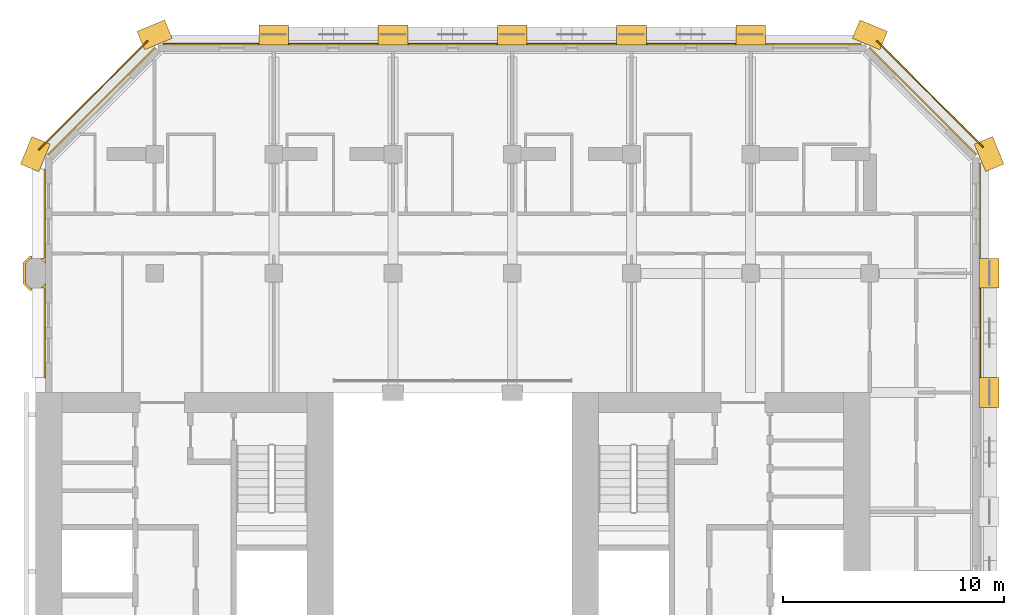
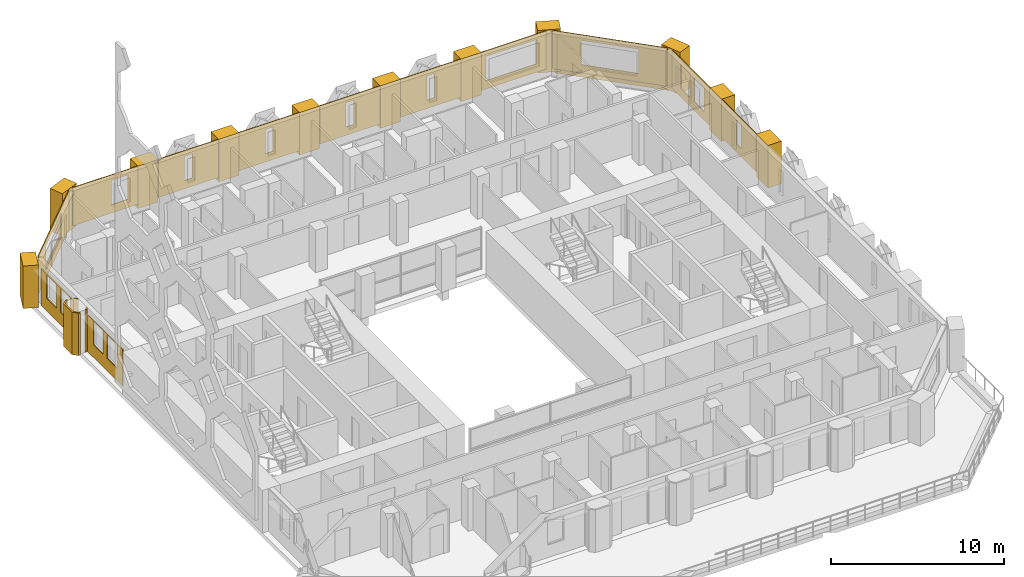
# One storey, part 17 of 17: 28 coverings.
"""IFC4 building model written with IfcOpenShell, lengths in metres."""

from ifc_helpers import new_model, si_unit, direction, frame, frame_2d, origin, place, context, subcontext, project, spatial, polyline, rectangle, outline, extrude, material, layer, layer_set, type_object, element, save


model = new_model("IFC4")

# Units and contexts
model_context = context("Model", 3, precision=1e-05, world=origin(), true_north=direction((0.0, 1.0)))
body_context = subcontext(model_context, "Body", "Model", "MODEL_VIEW")
ifc_project = project(units=[si_unit("LENGTHUNIT", "METRE"), si_unit("AREAUNIT", "SQUARE_METRE"), si_unit("VOLUMEUNIT", "CUBIC_METRE"), si_unit("PLANEANGLEUNIT", "RADIAN"), si_unit("MASSUNIT", "GRAM", prefix="KILO")], contexts=[model_context])

# Site, building, storey
site_placement = place(None, origin())
site = spatial("IfcSite", under=ifc_project, at=site_placement, CompositionType="ELEMENT")
building_placement = place(site_placement, origin())
building = spatial("IfcBuilding", under=site, at=building_placement, Name="Tabaq Tower and Sports Hall", CompositionType="ELEMENT")
storey_placement = place(building_placement, frame((0.0, 0.0, 180.699951171875)))
storey = spatial("IfcBuildingStorey", under=building, at=storey_placement, Name="L43", CompositionType="ELEMENT", Elevation=180.699951171875)

# Coverings
ifc_material_1 = material(Name="Precast concrete C60/75", Category="concrete")
ifc_layer_1 = layer(ifc_material_1, 0.10009765625)
ifc_layer_set_1 = layer_set([ifc_layer_1], Name="Column cladding 100")
covering_type_1 = type_object("IfcCoveringType", Name="Column cladding 100", PredefinedType="CLADDING", material=ifc_layer_set_1)
covering_1_placement = place(storey_placement, origin())
element("IfcCovering", 1, at=covering_1_placement, inside=storey, type_object=covering_type_1, Name="Column cladding L43 PC-2H-H2", PredefinedType="CLADDING", context=body_context, shape_type="SweptSolid", body=[
    extrude(outline(polyline([(5.1337890625, 37.025634765625), (4.8505859375, 37.308837890625), (4.8505859375, 38.291259765625), (5.1337890625, 38.574462890625), (5.24951171875, 38.574462890625), (5.24951171875, 38.4755859375), (5.1748046875, 38.4755859375), (4.949462890625, 38.250244140625), (4.949462890625, 37.349853515625), (5.1748046875, 37.12451171875), (5.24951171875, 37.12451171875), (5.24951171875, 37.025634765625), (5.1337890625, 37.025634765625)])), origin(), (0.0, 0.0, 1.0), 3.0),
])
covering_2_placement = place(storey_placement, origin())
element("IfcCovering", 2, at=covering_2_placement, inside=storey, type_object=covering_type_1, Name="Column cladding L43 PC-2H-H2 2", PredefinedType="CLADDING", context=body_context, shape_type="SweptSolid", body=[
    extrude(outline(polyline([(5.766357421875, 37.125244140625), (5.625732421875, 37.125244140625), (5.849609375, 37.349365234375), (5.849609375, 37.208740234375), (5.766357421875, 37.125244140625)])), origin(), (0.0, 0.0, 1.0), 3.0),
])
covering_3_placement = place(storey_placement, origin())
element("IfcCovering", 3, at=covering_3_placement, inside=storey, type_object=covering_type_1, Name="Column cladding L43 PC-2H-H2 3", PredefinedType="CLADDING", context=body_context, shape_type="SweptSolid", body=[
    extrude(outline(polyline([(5.62646484375, 38.474365234375), (5.76611328125, 38.474365234375), (5.849365234375, 38.39111328125), (5.849365234375, 38.25146484375), (5.62646484375, 38.474365234375)])), origin(), (0.0, 0.0, 1.0), 3.0),
])
ifc_material_2 = material(Name="Precast concrete C60/75", Category="concrete")
ifc_layer_2 = layer(ifc_material_2, 0.06005859375)
ifc_layer_set_2 = layer_set([ifc_layer_2], Name="Edge beam cladding 60")
covering_type_2 = type_object("IfcCoveringType", Name="Edge beam cladding 60", PredefinedType="CLADDING", material=ifc_layer_set_2)
covering_4_placement = place(storey_placement, frame((48.3369140625, 43.505615234375, -0.300048828125), z_axis=(0.0, 0.0, 1.0), x_axis=(-0.707106781187, 0.707106781187, 0.0)))
element("IfcCovering", 4, at=covering_4_placement, inside=storey, type_object=covering_type_2, Name="Edge beam cladding L43 2", PredefinedType="CLADDING", context=body_context, shape_type="SweptSolid", body=[
    extrude(rectangle(XDim=6.83251953125, YDim=0.06005859375, at=frame_2d((3.416259765625, 0.0))), origin(), (0.0, 0.0, 1.0), 0.300048828125),
])
covering_5_placement = place(storey_placement, frame((10.494384765625, 48.3369140625, -0.300048828125), z_axis=(0.0, 0.0, 1.0), x_axis=(-0.707089303851, -0.70712425809, 0.0)))
element("IfcCovering", 5, at=covering_5_placement, inside=storey, type_object=covering_type_2, Name="Edge beam cladding L43 4", PredefinedType="CLADDING", context=body_context, shape_type="SweptSolid", body=[
    extrude(rectangle(XDim=6.984619140625, YDim=0.06005859375, at=frame_2d((3.4921875, 0.0))), origin(), (0.0, 0.0, 1.0), 0.300048828125),
])
ifc_material_3 = material(Name="White precast concrete C60/75", Category="concrete")
covering_type_3 = type_object("IfcCoveringType", Name="Pier cladding hung 1350x900", PredefinedType="CLADDING", material=ifc_material_3)
for number, where, z_axis, x_axis, name in (
    (6, (5.658203125, 43.82373046875, 0.0), (0.0, 0.0, 1.0), (-0.382649923473, -0.923893411637, 0.0), "Hung pier cladding 1/8"),
    (7, (11.423583984375, 48.8583984375, 0.0), (0.0, 0.0, 1.0), (-0.923893411637, -0.382649923473, 0.0), "Hung pier cladding 2/9"),
    (8, (16.875, 48.60009765625, 0.0), (0.0, 0.0, 1.0), (-1.0, 0.0, 0.0), "Hung pier cladding 3/9"),
):
    element("IfcCovering", number, at=place(storey_placement, frame(where, z_axis=z_axis, x_axis=x_axis)), inside=storey, type_object=covering_type_3, Name=name, PredefinedType="CLADDING", context=body_context, shape_type="SweptSolid", body=[
        extrude(rectangle(XDim=1.35009765625, YDim=0.89990234375, at=frame_2d((0.675048828125, 0.0))), origin(), (0.0, 0.0, 1.0), 3.0),
    ])
covering_6_placement = place(storey_placement, frame((22.27490234375, 48.60009765625, 0.0), z_axis=(0.0, 0.0, 1.0), x_axis=(-1.0, 0.0, 0.0)))
element("IfcCovering", 9, at=covering_6_placement, inside=storey, type_object=covering_type_3, Name="Hung pier cladding 4/9", PredefinedType="CLADDING", context=body_context, shape_type="SweptSolid", body=[
    extrude(rectangle(XDim=1.349853515625, YDim=0.89990234375, at=frame_2d((0.6748046875, 0.0))), origin(), (0.0, 0.0, 1.0), 3.0),
])
covering_7_placement = place(storey_placement, frame((27.675048828125, 48.60009765625, 0.0), z_axis=(0.0, 0.0, 1.0), x_axis=(-1.0, 0.0, 0.0)))
element("IfcCovering", 10, at=covering_7_placement, inside=storey, type_object=covering_type_3, Name="Hung pier cladding 5/9", PredefinedType="CLADDING", context=body_context, shape_type="SweptSolid", body=[
    extrude(rectangle(XDim=1.35009765625, YDim=0.89990234375, at=frame_2d((0.675048828125, 0.0))), origin(), (0.0, 0.0, 1.0), 3.0),
])
covering_8_placement = place(storey_placement, frame((33.074951171875, 48.60009765625, 0.0), z_axis=(0.0, 0.0, 1.0), x_axis=(-1.0, 0.0, 0.0)))
element("IfcCovering", 11, at=covering_8_placement, inside=storey, type_object=covering_type_3, Name="Hung pier cladding 6/9", PredefinedType="CLADDING", context=body_context, shape_type="SweptSolid", body=[
    extrude(rectangle(XDim=1.349853515625, YDim=0.89990234375, at=frame_2d((0.6748046875, 0.0))), origin(), (0.0, 0.0, 1.0), 3.0),
])
for number, where, z_axis, x_axis, name in (
    (12, (38.47509765625, 48.60009765625, 0.0), (0.0, 0.0, 1.0), (-1.0, 0.0, 0.0), "Hung pier cladding 7/9"),
    (13, (43.82373046875, 48.341796875, 0.0), (0.0, 0.0, 1.0), (-0.923893411637, 0.382649923473, 0.0), "Hung pier cladding 8/9"),
):
    element("IfcCovering", number, at=place(storey_placement, frame(where, z_axis=z_axis, x_axis=x_axis)), inside=storey, type_object=covering_type_3, Name=name, PredefinedType="CLADDING", context=body_context, shape_type="SweptSolid", body=[
        extrude(rectangle(XDim=1.35009765625, YDim=0.89990234375, at=frame_2d((0.675048828125, 0.0))), origin(), (0.0, 0.0, 1.0), 3.0),
    ])
covering_9_placement = place(storey_placement, frame((48.60009765625, 31.72509765625, 0.0), z_axis=(0.0, 0.0, 1.0), x_axis=(0.0, 1.0, 0.0)))
element("IfcCovering", 14, at=covering_9_placement, inside=storey, type_object=covering_type_3, Name="Hung pier cladding 9/6", PredefinedType="CLADDING", context=body_context, shape_type="SweptSolid", body=[
    extrude(rectangle(XDim=1.349853515625, YDim=0.89990234375, at=frame_2d((0.6748046875, 0.0))), origin(), (0.0, 0.0, 1.0), 3.0),
])
for number, where, z_axis, x_axis, name in (
    (15, (48.60009765625, 37.125, 0.0), (0.0, 0.0, 1.0), (0.0, 1.0, 0.0), "Hung pier cladding 9/7"),
    (16, (48.8583984375, 42.576416015625, 0.0), (0.0, 0.0, 1.0), (-0.382649923473, 0.923893411637, 0.0), "Hung pier cladding 9/8"),
):
    element("IfcCovering", number, at=place(storey_placement, frame(where, z_axis=z_axis, x_axis=x_axis)), inside=storey, type_object=covering_type_3, Name=name, PredefinedType="CLADDING", context=body_context, shape_type="SweptSolid", body=[
        extrude(rectangle(XDim=1.35009765625, YDim=0.89990234375, at=frame_2d((0.675048828125, 0.0))), origin(), (0.0, 0.0, 1.0), 3.0),
    ])
ifc_material_4 = material(Name="Precast concrete C60/75", Category="concrete")
ifc_layer_3 = layer(ifc_material_4, 0.06005859375)
ifc_layer_set_3 = layer_set([ifc_layer_3], Name="White precast cladding panel 60 C60/75")
covering_type_4 = type_object("IfcCoveringType", Name="White precast cladding panel 60 C60/75", PredefinedType="CLADDING", material=ifc_layer_set_3)
covering_10_placement = place(storey_placement, frame((48.179931640625, 33.0849609375, 0.31005859375), z_axis=(0.0, 0.0, 1.0), x_axis=(0.0, 1.0, 0.0)))
element("IfcCovering", 17, at=covering_10_placement, inside=storey, type_object=covering_type_4, Name="White precast cladding panel L43 wall02 5", PredefinedType="CLADDING", context=body_context, shape_type="SweptSolid", body=[
    extrude(outline(polyline([(0.0, 0.0), (4.030029296875, 0.0), (4.030029296875, 2.68994140625), (0.0, 2.68994140625), (0.0, 0.0)]), holes=[polyline([(1.7548828125, 0.580078125), (1.7548828125, 2.300048828125), (2.27490234375, 2.300048828125), (2.27490234375, 0.580078125), (1.7548828125, 0.580078125)])]), frame((0.0, 0.030029296875, 0.0), z_axis=(0.0, -1.0, 0.0), x_axis=(1.0, 0.0, 0.0)), (0.0, 0.0, 1.0), 0.06005859375),
])
covering_11_placement = place(storey_placement, frame((48.179931640625, 38.485107421875, 0.31005859375), z_axis=(0.0, 0.0, 1.0), x_axis=(0.0, 1.0, 0.0)))
element("IfcCovering", 18, at=covering_11_placement, inside=storey, type_object=covering_type_4, Name="White precast cladding panel L43 wall02 6", PredefinedType="CLADDING", context=body_context, shape_type="SweptSolid", body=[
    extrude(outline(polyline([(0.0, 0.0), (4.32275390625, 0.0), (4.32275390625, 2.68994140625), (0.0, 2.68994140625), (0.0, 0.0)]), holes=[polyline([(0.655029296875, 2.300048828125), (1.77490234375, 2.300048828125), (1.77490234375, 0.580078125), (0.655029296875, 0.580078125), (0.655029296875, 2.300048828125)]), polyline([(2.2548828125, 2.300048828125), (3.375, 2.300048828125), (3.375, 0.580078125), (2.2548828125, 0.580078125), (2.2548828125, 2.300048828125)])]), frame((0.0, 0.030029296875, 0.0), z_axis=(0.0, -1.0, 0.0), x_axis=(1.0, 0.0, 0.0)), (0.0, 0.0, 1.0), 0.06005859375),
])
covering_12_placement = place(storey_placement, frame((48.02587890625, 43.18017578125, 0.31005859375), z_axis=(0.0, 0.0, 1.0), x_axis=(-0.707106781187, 0.707106781187, 0.0)))
element("IfcCovering", 19, at=covering_12_placement, inside=storey, type_object=covering_type_4, Name="White precast cladding panel L43 wall03", PredefinedType="CLADDING", context=body_context, shape_type="SweptSolid", body=[
    extrude(outline(polyline([(0.0, 0.0), (6.852783203125, 0.0), (6.852783203125, 2.68994140625), (0.0, 2.68994140625), (0.0, 0.0)]), holes=[polyline([(1.71630859375, 0.580078125), (1.71630859375, 2.300048828125), (5.13623046875, 2.300048828125), (5.13623046875, 0.580078125), (1.71630859375, 0.580078125)])]), frame((0.0, 0.030029296875, 0.0), z_axis=(0.0, -1.0, 0.0), x_axis=(1.0, 0.0, 0.0)), (0.0, 0.0, 1.0), 0.06005859375),
])
covering_13_placement = place(storey_placement, frame((42.807861328125, 48.179931640625, 0.31005859375), z_axis=(0.0, 0.0, 1.0), x_axis=(-1.0, 0.0, 0.0)))
element("IfcCovering", 20, at=covering_13_placement, inside=storey, type_object=covering_type_4, Name="White precast cladding panel L43 wall04", PredefinedType="CLADDING", context=body_context, shape_type="SweptSolid", body=[
    extrude(outline(polyline([(0.0, 0.0), (4.32275390625, 0.0), (4.32275390625, 2.68994140625), (0.0, 2.68994140625), (0.0, 0.0)]), holes=[polyline([(0.597900390625, 0.580078125), (0.597900390625, 2.300048828125), (4.017822265625, 2.300048828125), (4.017822265625, 0.580078125), (0.597900390625, 0.580078125)])]), frame((0.0, 0.030029296875, 0.0), z_axis=(0.0, -1.0, 0.0), x_axis=(1.0, 0.0, 0.0)), (0.0, 0.0, 1.0), 0.06005859375),
])
for number, where, z_axis, x_axis, name in (
    (21, (37.114990234375, 48.179931640625, 0.31005859375), (0.0, 0.0, 1.0), (-1.0, 0.0, 0.0), "White precast cladding panel L43 wall04 2"),
    (22, (31.715087890625, 48.179931640625, 0.31005859375), (0.0, 0.0, 1.0), (-1.0, 0.0, 0.0), "White precast cladding panel L43 wall04 3"),
    (23, (26.31494140625, 48.179931640625, 0.31005859375), (0.0, 0.0, 1.0), (-1.0, 0.0, 0.0), "White precast cladding panel L43 wall04 4"),
    (24, (20.9150390625, 48.179931640625, 0.31005859375), (0.0, 0.0, 1.0), (-1.0, 0.0, 0.0), "White precast cladding panel L43 wall04 5"),
):
    element("IfcCovering", number, at=place(storey_placement, frame(where, z_axis=z_axis, x_axis=x_axis)), inside=storey, type_object=covering_type_4, Name=name, PredefinedType="CLADDING", context=body_context, shape_type="SweptSolid", body=[
        extrude(outline(polyline([(0.0, 0.0), (4.030029296875, 0.0), (4.030029296875, 2.68994140625), (0.0, 2.68994140625), (0.0, 0.0)]), holes=[polyline([(1.7548828125, 0.580078125), (1.7548828125, 2.300048828125), (2.27490234375, 2.300048828125), (2.27490234375, 0.580078125), (1.7548828125, 0.580078125)])]), frame((0.0, 0.030029296875, 0.0), z_axis=(0.0, -1.0, 0.0), x_axis=(1.0, 0.0, 0.0)), (0.0, 0.0, 1.0), 0.06005859375),
    ])
covering_14_placement = place(storey_placement, frame((15.514892578125, 48.179931640625, 0.31005859375), z_axis=(0.0, 0.0, 1.0), x_axis=(-1.0, 0.0, 0.0)))
element("IfcCovering", 25, at=covering_14_placement, inside=storey, type_object=covering_type_4, Name="White precast cladding panel L43 wall04 6", PredefinedType="CLADDING", context=body_context, shape_type="SweptSolid", body=[
    extrude(outline(polyline([(0.0, 0.0), (4.32275390625, 0.0), (4.32275390625, 2.68994140625), (0.0, 2.68994140625), (0.0, 0.0)]), holes=[polyline([(0.655029296875, 0.580078125), (0.655029296875, 2.300048828125), (1.77490234375, 2.300048828125), (1.77490234375, 0.580078125), (0.655029296875, 0.580078125)])]), frame((0.0, 0.030029296875, 0.0), z_axis=(0.0, -1.0, 0.0), x_axis=(1.0, 0.0, 0.0)), (0.0, 0.0, 1.0), 0.06005859375),
])
covering_15_placement = place(storey_placement, frame((10.81982421875, 48.02587890625, 0.31005859375), z_axis=(0.0, 0.0, 1.0), x_axis=(-0.707106781187, -0.707106781187, 0.0)))
element("IfcCovering", 26, at=covering_15_placement, inside=storey, type_object=covering_type_4, Name="White precast cladding panel L43 wall05", PredefinedType="CLADDING", context=body_context, shape_type="SweptSolid", body=[
    extrude(outline(polyline([(0.0, 0.0), (6.856201171875, 0.0), (6.856201171875, 2.68994140625), (0.0, 2.68994140625), (0.0, 0.0)]), holes=[polyline([(1.71630859375, 0.580078125), (1.71630859375, 2.300048828125), (5.13623046875, 2.300048828125), (5.13623046875, 0.580078125), (1.71630859375, 0.580078125)])]), frame((0.0, 0.030029296875, 0.0), z_axis=(0.0, -1.0, 0.0), x_axis=(1.0, 0.0, 0.0)), (0.0, 0.0, 1.0), 0.06005859375),
])
covering_16_placement = place(storey_placement, frame((5.820068359375, 42.534912109375, 0.0), z_axis=(0.0, 0.0, 1.0), x_axis=(0.0, -1.0, 0.0)))
element("IfcCovering", 27, at=covering_16_placement, inside=storey, type_object=covering_type_4, Name="White precast cladding panel L43 wall06", PredefinedType="CLADDING", context=body_context, shape_type="SweptSolid", body=[
    extrude(outline(polyline([(0.0, 0.0), (4.0498046875, 0.0), (4.0498046875, 2.590087890625), (0.0, 2.590087890625), (0.0, 0.0)]), holes=[polyline([(0.675048828125, 0.89013671875), (0.675048828125, 2.56005859375), (1.794921875, 2.56005859375), (1.794921875, 0.89013671875), (0.675048828125, 0.89013671875)]), polyline([(2.27490234375, 0.89013671875), (2.27490234375, 2.56005859375), (3.39501953125, 2.56005859375), (3.39501953125, 0.89013671875), (2.27490234375, 0.89013671875)])]), frame((0.0, 0.030029296875, 0.0), z_axis=(0.0, -1.0, 0.0), x_axis=(1.0, 0.0, 0.0)), (0.0, 0.0, 1.0), 0.06005859375),
])
covering_17_placement = place(storey_placement, frame((5.820068359375, 37.114990234375, 0.0), z_axis=(0.0, 0.0, 1.0), x_axis=(0.0, -1.0, 0.0)))
element("IfcCovering", 28, at=covering_17_placement, inside=storey, type_object=covering_type_4, Name="White precast cladding panel L43 wall06 2", PredefinedType="CLADDING", context=body_context, shape_type="SweptSolid", body=[
    extrude(outline(polyline([(0.0, 0.0), (4.050048828125, 0.0), (4.050048828125, 2.590087890625), (0.0, 2.590087890625), (0.0, 0.0)]), holes=[polyline([(0.655029296875, 0.89013671875), (0.655029296875, 2.56005859375), (1.77490234375, 2.56005859375), (1.77490234375, 0.89013671875), (0.655029296875, 0.89013671875)]), polyline([(2.2548828125, 0.89013671875), (2.2548828125, 2.56005859375), (3.375, 2.56005859375), (3.375, 0.89013671875), (2.2548828125, 0.89013671875)])]), frame((0.0, 0.030029296875, 0.0), z_axis=(0.0, -1.0, 0.0), x_axis=(1.0, 0.0, 0.0)), (0.0, 0.0, 1.0), 0.06005859375),
])

save(model, "model.ifc")
